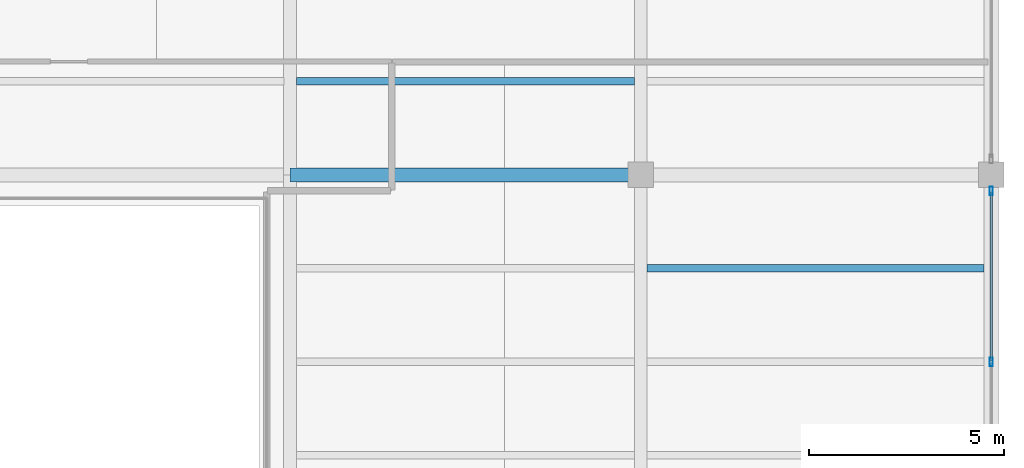
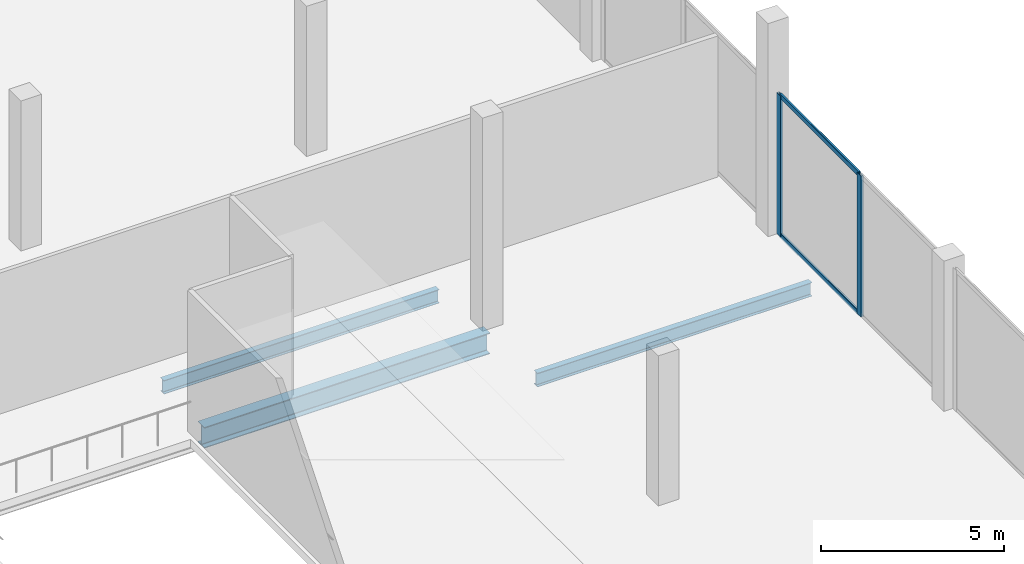
# One storey, part 20 of 43: 4 members, 3 beams, 1 element without a shape of its own.
"""IFC4 building model written with IfcOpenShell, lengths in metres."""

from ifc_helpers import new_model, si_unit, direction, frame, origin, origin_2d, place, context, subcontext, project, spatial, hollow_rectangle, i_section, extrude, material, layer, layer_set, material_profile, profile_set, type_object, element, aggregate, save


model = new_model("IFC4")

# Units and contexts
model_context = context("Model", 3, precision=1e-05, world=origin(), true_north=direction((0.0, 1.0)))
body_context = subcontext(model_context, "Body", "Model", "MODEL_VIEW")
ifc_project = project(units=[si_unit("LENGTHUNIT", "METRE"), si_unit("AREAUNIT", "SQUARE_METRE"), si_unit("VOLUMEUNIT", "CUBIC_METRE"), si_unit("PLANEANGLEUNIT", "RADIAN"), si_unit("MASSUNIT", "GRAM", prefix="KILO")], contexts=[model_context])

# Site, building, storey
site_placement = place(None, origin())
site = spatial("IfcSite", under=ifc_project, at=site_placement, CompositionType="ELEMENT")
building_placement = place(site_placement, origin())
building = spatial("IfcBuilding", under=site, at=building_placement, Name="Qorvath Tower", CompositionType="ELEMENT")
storey_placement = place(building_placement, frame((0.0, 0.0, 22.0)))
storey = spatial("IfcBuildingStorey", under=building, at=storey_placement, Name="L04", CompositionType="ELEMENT", Elevation=22.0)

# Beams
ifc_material_1 = material(Name="Steel ASTM A992 Grade 50", Category="steel")
ifc_material_profile_1 = material_profile(ifc_material_1, i_section(OverallWidth=0.35595703125, OverallDepth=0.696044921875, WebThickness=0.015380859375, FlangeThickness=0.02490234375, FilletRadius=0.01806640625, at=origin_2d()), Name="W27x146")
ifc_profile_set_1 = profile_set([ifc_material_profile_1], Name="Steel ASTM A992 Grade 50")
beam_type_1 = type_object("IfcBeamType", Name="BM-FG4", PredefinedType="BEAM", material=ifc_profile_set_1)
beam_1_placement = place(storey_placement, frame((59.39990234375, 9.60009765625, -0.60791015625), z_axis=(1.0, 0.0, 0.0), x_axis=(0.0, 1.0, 0.0)))
element("IfcBeam", 1, at=beam_1_placement, inside=storey, type_object=beam_type_1, Name="Library E-W Girder L04-6-4", PredefinedType="BEAM", context=body_context, shape_type="SweptSolid", body=[
    extrude(i_section(OverallWidth=0.35595703125, OverallDepth=0.696044921875, WebThickness=0.015380859375, FlangeThickness=0.02490234375, FilletRadius=0.01806640625, at=origin_2d()), origin(), (0.0, 0.0, 1.0), 9.0),
])
ifc_material_2 = material(Name="Steel ASTM A992 Grade 50", Category="steel")
ifc_material_profile_2 = material_profile(ifc_material_2, i_section(OverallWidth=0.18994140625, OverallDepth=0.45703125, WebThickness=0.009033203125, FlangeThickness=0.014404296875, FilletRadius=0.011962890625, at=origin_2d()), Name="W18x50")
ifc_profile_set_2 = profile_set([ifc_material_profile_2], Name="Steel ASTM A992 Grade 50")
beam_type_2 = type_object("IfcBeamType", Name="BM-FJ2", PredefinedType="JOIST", material=ifc_profile_set_2)
beam_2_placement = place(storey_placement, frame((68.560546875, 7.199951171875, -0.488525390625), z_axis=(1.0, 0.0, 0.0), x_axis=(0.0, 1.0, 0.0)))
element("IfcBeam", 2, at=beam_2_placement, inside=storey, type_object=beam_type_2, Name="Library Stack Joist L04-5.3-5", PredefinedType="JOIST", context=body_context, shape_type="SweptSolid", body=[
    extrude(i_section(OverallWidth=0.18994140625, OverallDepth=0.45703125, WebThickness=0.009033203125, FlangeThickness=0.014404296875, FilletRadius=0.011962890625, at=origin_2d()), origin(), (0.0, 0.0, 1.0), 8.65087890625),
])
beam_3_placement = place(storey_placement, frame((59.560546875, 12.0, -0.488525390625), z_axis=(1.0, 0.0, 0.0), x_axis=(0.0, 1.0, 0.0)))
element("IfcBeam", 3, at=beam_3_placement, inside=storey, type_object=beam_type_2, Name="Library Stack Joist L04-6.1-4", PredefinedType="JOIST", context=body_context, shape_type="SweptSolid", body=[
    extrude(i_section(OverallWidth=0.18994140625, OverallDepth=0.45703125, WebThickness=0.009033203125, FlangeThickness=0.014404296875, FilletRadius=0.011962890625, at=origin_2d()), origin(), (0.0, 0.0, 1.0), 8.678955078125),
])

# Curtain wall, members
ifc_material_3 = material(Name="Anodised aluminium and triple low-E glass", Category="aluminium")
ifc_layer = layer(ifc_material_3, 0.179931640625)
ifc_layer_set = layer_set([ifc_layer], Name="CW-SYS-6")
curtain_wall_type = type_object("IfcCurtainWallType", Name="CW-SYS-6", PredefinedType="NOTDEFINED", material=ifc_layer_set)
curtain_wall_placement = place(storey_placement, origin())
curtain_wall = element("IfcCurtainWall", 4, at=curtain_wall_placement, inside=storey, type_object=curtain_wall_type, Name="Curtain Wall CW-6 CW-LIB-E-L04-5", PredefinedType="NOTDEFINED")
ifc_material_4 = material(Name="Anodised aluminium 6063-T6", Category="aluminium")
ifc_material_profile_3 = material_profile(ifc_material_4, hollow_rectangle(XDim=0.080078125, YDim=0.219970703125, WallThickness=0.00439453125, InnerFilletRadius=0.00439453125, OuterFilletRadius=0.009033203125, at=origin_2d()), Name="CWM LIB 220x80")
ifc_profile_set_3 = profile_set([ifc_material_profile_3], Name="Anodised aluminium 6063-T6")
member_type_1 = type_object("IfcMemberType", Name="CWM-LIB", PredefinedType="MULLION", material=ifc_profile_set_3)
member_1_placement = place(storey_placement, frame((77.39990234375, 4.800048828125, 0.0), z_axis=(0.0, 0.0, 1.0), x_axis=(-1.0, 0.0, 0.0)))
member_1 = element("IfcMember", 5, at=member_1_placement, type_object=member_type_1, Name="CW-6 mullion 2", PredefinedType="MULLION", context=body_context, shape_type="SweptSolid", body=[
    extrude(hollow_rectangle(XDim=0.080078125, YDim=0.219970703125, WallThickness=0.00439453125, InnerFilletRadius=0.00439453125, OuterFilletRadius=0.009033203125, at=origin_2d()), origin(), (0.0, 0.0, 1.0), 4.699951171875),
])
member_2_placement = place(storey_placement, frame((77.39990234375, 9.18994140625, 0.0), z_axis=(0.0, 0.0, 1.0), x_axis=(-1.0, 0.0, 0.0)))
member_2 = element("IfcMember", 6, at=member_2_placement, type_object=member_type_1, Name="CW-6 mullion 3", PredefinedType="MULLION", context=body_context, shape_type="SweptSolid", body=[
    extrude(hollow_rectangle(XDim=0.080078125, YDim=0.219970703125, WallThickness=0.00439453125, InnerFilletRadius=0.00439453125, OuterFilletRadius=0.009033203125, at=origin_2d()), origin(), (0.0, 0.0, 1.0), 4.699951171875),
])
ifc_material_5 = material(Name="Anodised aluminium 6063-T6", Category="aluminium")
ifc_material_profile_4 = material_profile(ifc_material_5, hollow_rectangle(XDim=0.06494140625, YDim=0.159912109375, WallThickness=0.00341796875, InnerFilletRadius=0.00341796875, OuterFilletRadius=0.007080078125, at=origin_2d()), Name="CWT 160x65")
ifc_profile_set_4 = profile_set([ifc_material_profile_4], Name="Anodised aluminium 6063-T6")
member_type_2 = type_object("IfcMemberType", Name="CWT-160", PredefinedType="USERDEFINED", material=ifc_profile_set_4)
member_3_placement = place(storey_placement, frame((77.39990234375, 4.840087890625, 0.032470703125), z_axis=(0.0, 1.0, 0.0), x_axis=(-1.0, 0.0, 0.0)))
member_3 = element("IfcMember", 7, at=member_3_placement, type_object=member_type_2, Name="CW-6 transom 2.1", ObjectType="TRANSOM", PredefinedType="USERDEFINED", context=body_context, shape_type="SweptSolid", body=[
    extrude(hollow_rectangle(XDim=0.06494140625, YDim=0.159912109375, WallThickness=0.00341796875, InnerFilletRadius=0.00341796875, OuterFilletRadius=0.007080078125, at=origin_2d()), origin(), (0.0, 0.0, 1.0), 4.309814453125),
])
member_4_placement = place(storey_placement, frame((77.39990234375, 4.840087890625, 4.66748046875), z_axis=(0.0, 1.0, 0.0), x_axis=(-1.0, 0.0, 0.0)))
member_4 = element("IfcMember", 8, at=member_4_placement, type_object=member_type_2, Name="CW-6 transom 2.2", ObjectType="TRANSOM", PredefinedType="USERDEFINED", context=body_context, shape_type="SweptSolid", body=[
    extrude(hollow_rectangle(XDim=0.06494140625, YDim=0.159912109375, WallThickness=0.00341796875, InnerFilletRadius=0.00341796875, OuterFilletRadius=0.007080078125, at=origin_2d()), origin(), (0.0, 0.0, 1.0), 4.309814453125),
])
aggregate(curtain_wall, [member_1, member_2, member_3, member_4])

save(model, "model.ifc")
